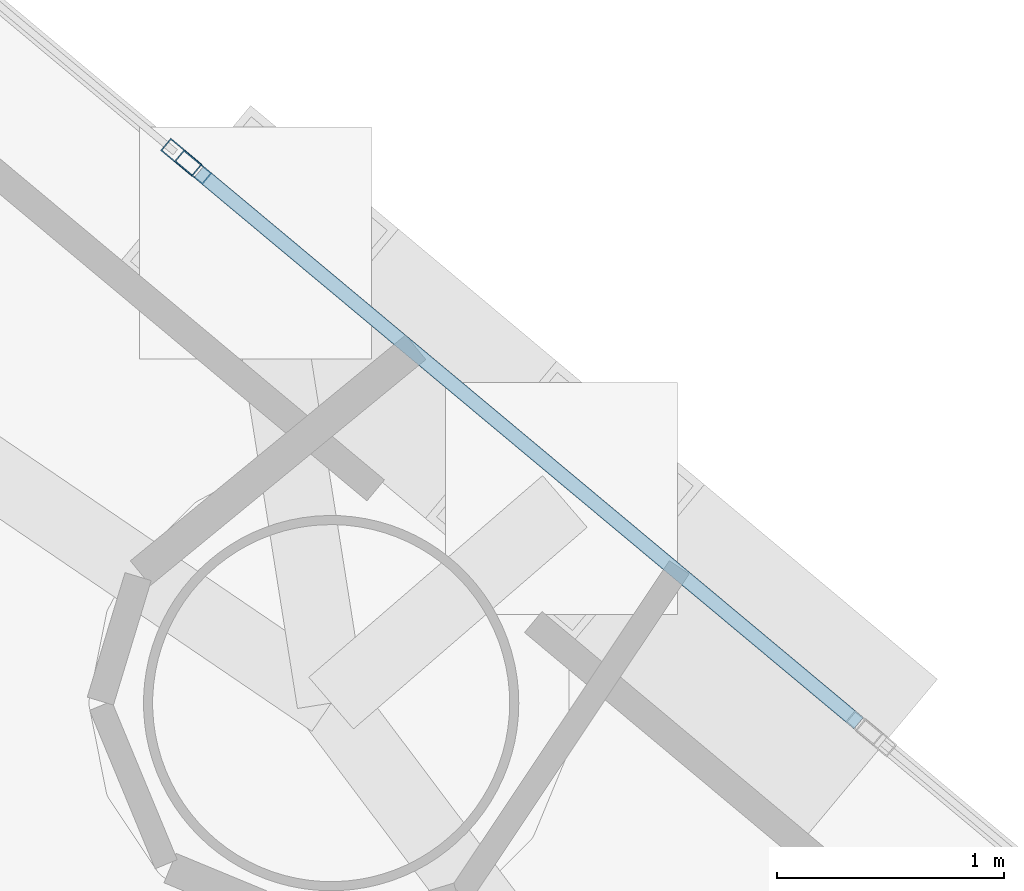
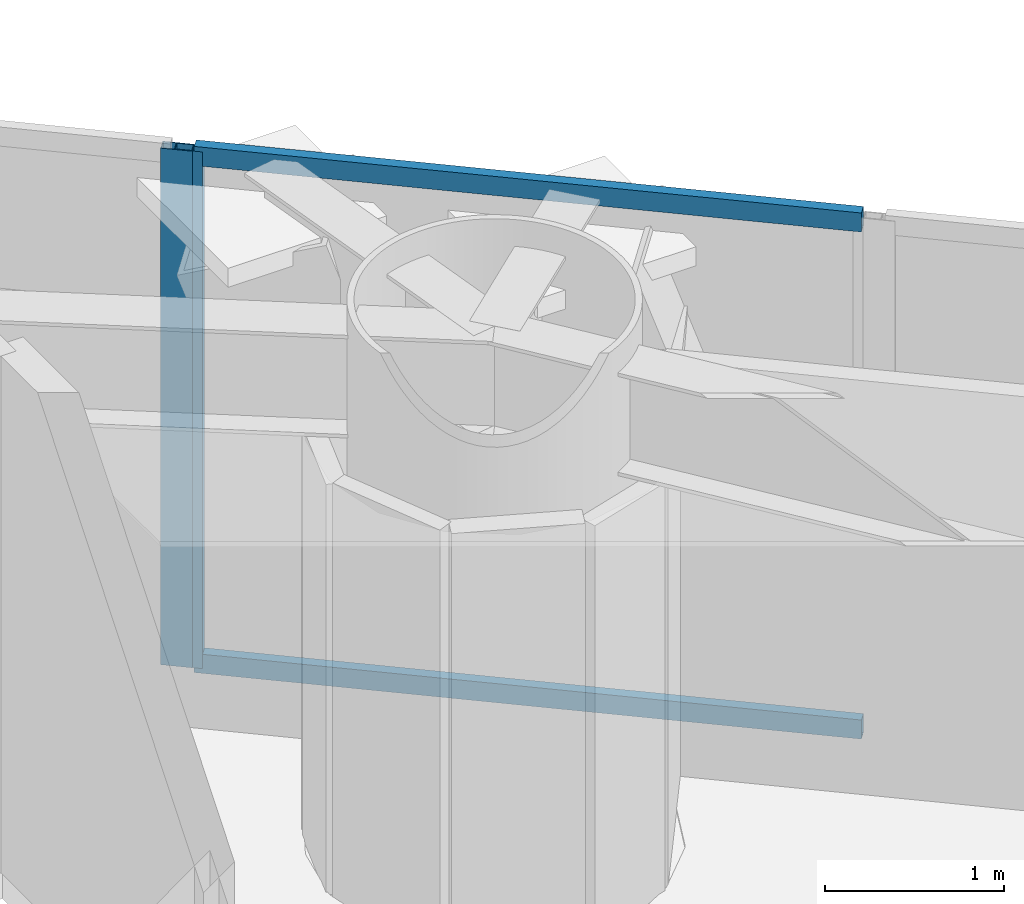
# One storey, part 12 of 23: 4 members, 2 elements without a shape of their own.
"""IFC4 building model written with IfcOpenShell, lengths in metres."""

from ifc_helpers import new_model, si_unit, direction, frame, origin, origin_2d, place, context, subcontext, project, spatial, hollow_rectangle, extrude, material, layer, layer_set, material_profile, profile_set, type_object, element, aggregate, save


model = new_model("IFC4")

# Units and contexts
model_context = context("Model", 3, precision=1e-05, world=origin(), true_north=direction((0.0, 1.0)))
body_context = subcontext(model_context, "Body", "Model", "MODEL_VIEW")
ifc_project = project(units=[si_unit("LENGTHUNIT", "METRE"), si_unit("AREAUNIT", "SQUARE_METRE"), si_unit("VOLUMEUNIT", "CUBIC_METRE"), si_unit("PLANEANGLEUNIT", "RADIAN"), si_unit("MASSUNIT", "GRAM", prefix="KILO")], contexts=[model_context])

# Site, building, storey
site_placement = place(None, origin())
site = spatial("IfcSite", under=ifc_project, at=site_placement, CompositionType="ELEMENT")
building_placement = place(site_placement, origin())
building = spatial("IfcBuilding", under=site, at=building_placement, Name="Qianvela Tower", CompositionType="ELEMENT")
storey_placement = place(building_placement, frame((0.0, 0.0, 78.39990234375)))
storey = spatial("IfcBuildingStorey", under=building, at=storey_placement, Name="L19", CompositionType="ELEMENT", Elevation=78.39990234375)

# Curtain wall, members
ifc_material_1 = material(Name="Anodised Architectural Aluminium and Insulated Spandrel Panel", Category="aluminium")
ifc_layer_1 = layer(ifc_material_1, 0.179931640625)
ifc_layer_set_1 = layer_set([ifc_layer_1], Name="Anodised Architectural Aluminium and Insulated Spandrel Panel")
curtain_wall_type_1 = type_object("IfcCurtainWallType", Name="CW-BRACEBAY", PredefinedType="USERDEFINED", material=ifc_layer_set_1)
curtain_wall_1_placement = place(storey_placement, origin())
curtain_wall_1 = element("IfcCurtainWall", 1, at=curtain_wall_1_placement, inside=storey, type_object=curtain_wall_type_1, Name="L19 CW-BRACEBAY Curtain Wall 02B", ObjectType="CURTAIN_WALL_SYSTEM", PredefinedType="USERDEFINED")
ifc_material_2 = material(Name="Anodised Architectural Aluminium 6063-T6", Category="aluminium")
ifc_material_profile_1 = material_profile(ifc_material_2, hollow_rectangle(XDim=0.06494140625, YDim=0.159912109375, WallThickness=0.0048828125, at=origin_2d()), Name="ALU-MULL-65x160")
ifc_profile_set_1 = profile_set([ifc_material_profile_1], Name="Anodised Architectural Aluminium 6063-T6")
member_type_1 = type_object("IfcMemberType", Name="CW-BRACEBAY-MULL", PredefinedType="MULLION", material=ifc_profile_set_1)
member_1_placement = place(storey_placement, frame((45.377197265625, 36.4130859375, 0.0), z_axis=(0.0, 0.0, 1.0), x_axis=(-0.641079532081, -0.767474451396, 0.0)))
member_1 = element("IfcMember", 2, at=member_1_placement, type_object=member_type_1, Name="CW-9 mullion 2", PredefinedType="MULLION", context=body_context, shape_type="SweptSolid", body=[
    extrude(hollow_rectangle(XDim=0.06494140625, YDim=0.159912109375, WallThickness=0.0048828125, at=origin_2d()), origin(), (0.0, 0.0, 1.0), 3.52001953125),
])
ifc_material_3 = material(Name="Anodised Architectural Aluminium 6063-T6", Category="aluminium")
ifc_material_profile_2 = material_profile(ifc_material_3, hollow_rectangle(XDim=0.06494140625, YDim=0.1298828125, WallThickness=0.00439453125, at=origin_2d()), Name="ALU-TRAN-65x130")
ifc_profile_set_2 = profile_set([ifc_material_profile_2], Name="Anodised Architectural Aluminium 6063-T6")
member_type_2 = type_object("IfcMemberType", Name="CW-BRACEBAY-TRAN", PredefinedType="USERDEFINED", material=ifc_profile_set_2)
member_2_placement = place(storey_placement, frame((48.30322265625, 33.96875, 0.03271484375), z_axis=(-0.767474313733, 0.641079696887, 0.0), x_axis=(-0.641079696887, -0.767474313733, 0.0)))
member_2 = element("IfcMember", 3, at=member_2_placement, type_object=member_type_2, Name="CW-9 transom 1.1", ObjectType="TRANSOM", PredefinedType="USERDEFINED", context=body_context, shape_type="SweptSolid", body=[
    extrude(hollow_rectangle(XDim=0.06494140625, YDim=0.1298828125, WallThickness=0.00439453125, at=origin_2d()), origin(), (0.0, 0.0, 1.0), 3.780029296875),
])
member_3_placement = place(storey_placement, frame((48.30322265625, 33.96875, 3.487548828125), z_axis=(-0.767474313733, 0.641079696887, 0.0), x_axis=(-0.641079696887, -0.767474313733, 0.0)))
member_3 = element("IfcMember", 4, at=member_3_placement, type_object=member_type_2, Name="CW-9 transom 1.2", ObjectType="TRANSOM", PredefinedType="USERDEFINED", context=body_context, shape_type="SweptSolid", body=[
    extrude(hollow_rectangle(XDim=0.06494140625, YDim=0.1298828125, WallThickness=0.00439453125, at=origin_2d()), origin(), (0.0, 0.0, 1.0), 3.780029296875),
])
aggregate(curtain_wall_1, [member_1, member_2, member_3])

# Curtain wall, member
ifc_material_4 = material(Name="Anodised Architectural Aluminium and Low-E Glass", Category="aluminium")
ifc_layer_2 = layer(ifc_material_4, 0.179931640625)
ifc_layer_set_2 = layer_set([ifc_layer_2], Name="Anodised Architectural Aluminium and Low-E Glass")
curtain_wall_type_2 = type_object("IfcCurtainWallType", Name="CW-COLIV-Z12", PredefinedType="USERDEFINED", material=ifc_layer_set_2)
curtain_wall_2_placement = place(storey_placement, origin())
curtain_wall_2 = element("IfcCurtainWall", 5, at=curtain_wall_2_placement, inside=storey, type_object=curtain_wall_type_2, Name="L19 CW-COLIV-Z12 Curtain Wall 02C", ObjectType="CURTAIN_WALL_SYSTEM", PredefinedType="USERDEFINED")
ifc_material_5 = material(Name="Anodised Architectural Aluminium 6063-T6", Category="aluminium")
ifc_material_profile_3 = material_profile(ifc_material_5, hollow_rectangle(XDim=0.070068359375, YDim=0.179931640625, WallThickness=0.0048828125, at=origin_2d()), Name="ALU-MULL-70x180")
ifc_profile_set_3 = profile_set([ifc_material_profile_3], Name="Anodised Architectural Aluminium 6063-T6")
member_type_3 = type_object("IfcMemberType", Name="CW-COLIV-Z12-MULL", PredefinedType="MULLION", material=ifc_profile_set_3)
member_4_placement = place(storey_placement, frame((45.325439453125, 36.456298828125, 0.0), z_axis=(0.0, 0.0, 1.0), x_axis=(-0.641088218, -0.767467195874, 0.0)))
member_4 = element("IfcMember", 6, at=member_4_placement, type_object=member_type_3, Name="CW-3 mullion 1", PredefinedType="MULLION", context=body_context, shape_type="SweptSolid", body=[
    extrude(hollow_rectangle(XDim=0.070068359375, YDim=0.179931640625, WallThickness=0.0048828125, at=origin_2d()), origin(), (0.0, 0.0, 1.0), 3.52001953125),
])
aggregate(curtain_wall_2, [member_4])

save(model, "model.ifc")
